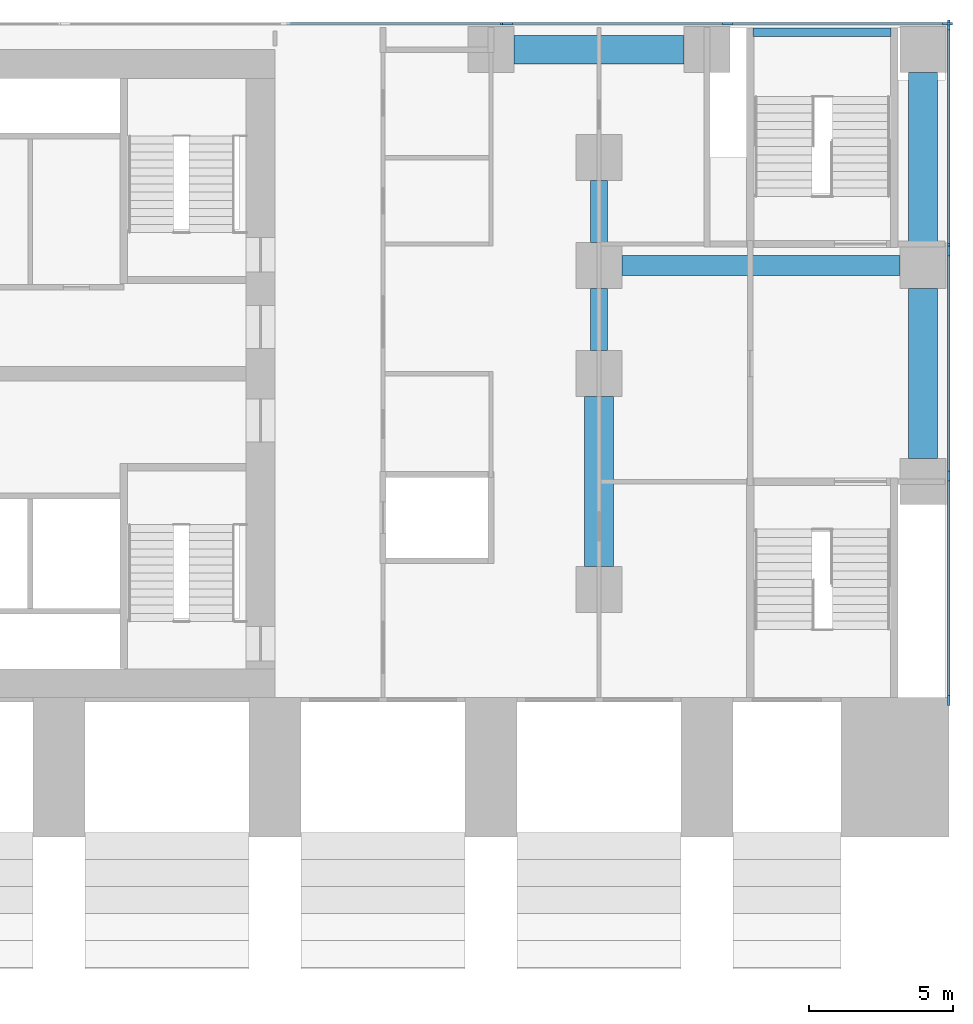
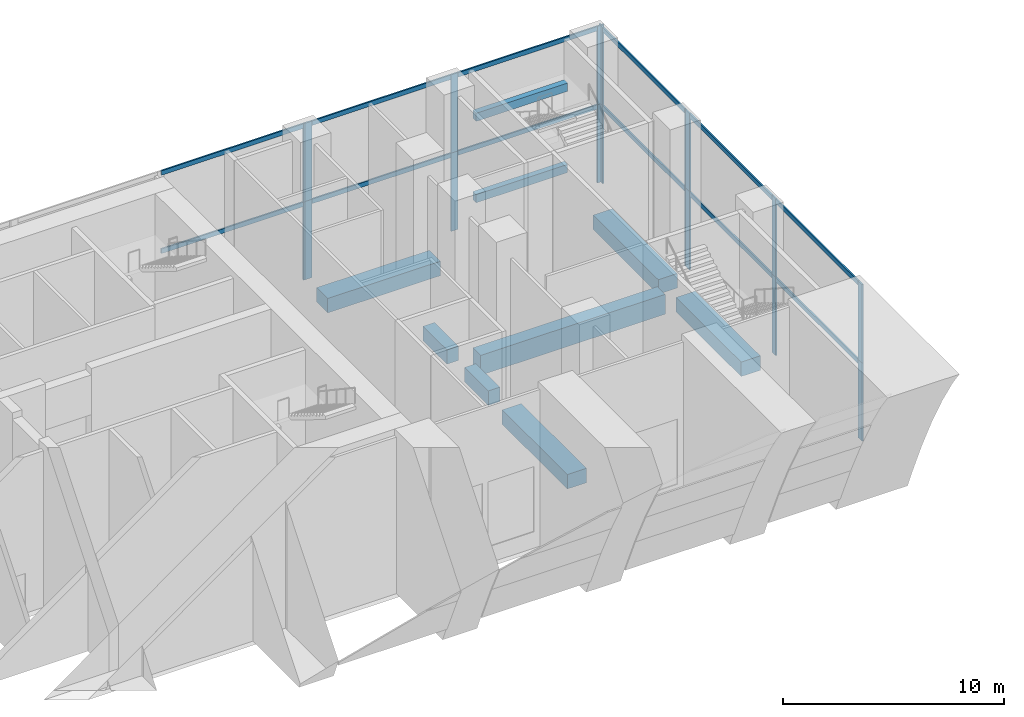
# One storey, part 3 of 14: 30 members, 9 beams, 8 elements without a shape of their own.
"""IFC4 building model written with IfcOpenShell, lengths in metres."""

from ifc_helpers import new_model, si_unit, direction, frame, origin, origin_2d, place, context, subcontext, project, spatial, rectangle, extrude, material, material_profile, profile_set, type_object, element, aggregate, save


model = new_model("IFC4")

# Units and contexts
model_context = context("Model", 3, precision=1e-05, world=origin(), true_north=direction((0.0, 1.0)))
body_context = subcontext(model_context, "Body", "Model", "MODEL_VIEW")
ifc_project = project(units=[si_unit("LENGTHUNIT", "METRE"), si_unit("AREAUNIT", "SQUARE_METRE"), si_unit("VOLUMEUNIT", "CUBIC_METRE"), si_unit("PLANEANGLEUNIT", "RADIAN"), si_unit("MASSUNIT", "GRAM", prefix="KILO")], contexts=[model_context])

# Site, building, storey
site_placement = place(None, origin())
site = spatial("IfcSite", under=ifc_project, at=site_placement, CompositionType="ELEMENT")
building_placement = place(site_placement, origin())
building = spatial("IfcBuilding", under=site, at=building_placement, Name="Pilkhan Gate Tower", CompositionType="ELEMENT")
storey_placement = place(building_placement, frame((0.0, 0.0, 7.5)))
storey = spatial("IfcBuildingStorey", under=building, at=storey_placement, Name="L01", CompositionType="ELEMENT", Elevation=7.5)

# Beams
ifc_material_1 = material(Name="Concrete C50/60", Category="concrete")
ifc_material_profile_1 = material_profile(ifc_material_1, rectangle(XDim=0.300048828125, YDim=0.449951171875, at=origin_2d()), Name="RC 300x450")
ifc_profile_set_1 = profile_set([ifc_material_profile_1], Name="Concrete C50/60")
beam_type_1 = type_object("IfcBeamType", Name="Landing support beam LB RC 300x450 C50/60", PredefinedType="BEAM", material=ifc_profile_set_1)
for number, where, z_axis, x_axis, name in (
    (1, (106.60498046875, 94.35009765625, 1.675048828125), (1.0, 0.0, 0.0), (0.0, 1.0, 0.0), "Landing support beam PS2-1 L01"),
    (2, (106.60498046875, 94.35009765625, 6.175048828125), (1.0, 0.0, 0.0), (0.0, 1.0, 0.0), "Landing support beam PS2-3 L01"),
):
    element("IfcBeam", number, at=place(storey_placement, frame(where, z_axis=z_axis, x_axis=x_axis)), inside=storey, type_object=beam_type_1, Name=name, PredefinedType="BEAM", context=body_context, shape_type="SweptSolid", body=[
        extrude(rectangle(XDim=0.300048828125, YDim=0.449951171875, at=origin_2d()), origin(), (0.0, 0.0, 1.0), 4.7900390625),
    ])

# Curtain wall, members
ifc_material_2 = material(Name="Pale anodised aluminium, clear low-iron laminated glazing", Category="aluminium")
curtain_wall_type = type_object("IfcCurtainWallType", Name="Podium unitised curtain wall CW-P", PredefinedType="USERDEFINED", material=ifc_material_2)
curtain_wall_1_placement = place(storey_placement, origin())
curtain_wall_1 = element("IfcCurtainWall", 3, at=curtain_wall_1_placement, inside=storey, type_object=curtain_wall_type, Name="Podium unitised curtain wall CW-P L01 E", ObjectType="UNITISED CURTAIN WALL", PredefinedType="USERDEFINED")
ifc_material_3 = material(Name="Pale anodised aluminium", Category="aluminium")
ifc_material_profile_2 = material_profile(ifc_material_3, rectangle(XDim=0.080078125, YDim=0.35009765625, at=origin_2d()), Name="Mullion 350x80")
ifc_profile_set_2 = profile_set([ifc_material_profile_2], Name="Pale anodised aluminium")
member_type_1 = type_object("IfcMemberType", Name="Mullion CW-P 350x80", PredefinedType="MULLION", material=ifc_profile_set_2)
member_1_placement = place(storey_placement, frame((113.39501953125, 71.14501953125, 0.0), z_axis=(0.0, 0.0, 1.0), x_axis=(-1.0, 0.0, 0.0)))
member_1 = element("IfcMember", 4, at=member_1_placement, type_object=member_type_1, Name="CW-P mullion 1", PredefinedType="MULLION", context=body_context, shape_type="SweptSolid", body=[
    extrude(rectangle(XDim=0.080078125, YDim=0.35009765625, at=origin_2d()), origin(), (0.0, 0.0, 1.0), 4.324951171875),
])
member_2_placement = place(storey_placement, frame((113.39501953125, 78.95166015625, 0.0), z_axis=(0.0, 0.0, 1.0), x_axis=(-1.0, 0.0, 0.0)))
member_2 = element("IfcMember", 5, at=member_2_placement, type_object=member_type_1, Name="CW-P mullion 2", PredefinedType="MULLION", context=body_context, shape_type="SweptSolid", body=[
    extrude(rectangle(XDim=0.080078125, YDim=0.35009765625, at=origin_2d()), origin(), (0.0, 0.0, 1.0), 4.324951171875),
])
member_3_placement = place(storey_placement, frame((113.39501953125, 86.75830078125, 0.0), z_axis=(0.0, 0.0, 1.0), x_axis=(-1.0, 0.0, 0.0)))
member_3 = element("IfcMember", 6, at=member_3_placement, type_object=member_type_1, Name="CW-P mullion 3", PredefinedType="MULLION", context=body_context, shape_type="SweptSolid", body=[
    extrude(rectangle(XDim=0.080078125, YDim=0.35009765625, at=origin_2d()), origin(), (0.0, 0.0, 1.0), 4.324951171875),
])

curtain_wall_2_placement = place(storey_placement, origin())
curtain_wall_2 = element("IfcCurtainWall", 7, at=curtain_wall_2_placement, inside=storey, type_object=curtain_wall_type, Name="Podium unitised curtain wall CW-P L01 E", ObjectType="UNITISED CURTAIN WALL", PredefinedType="USERDEFINED")
member_4_placement = place(storey_placement, frame((113.39501953125, 86.83837890625, 0.0), z_axis=(0.0, 0.0, 1.0), x_axis=(-1.0, 0.0, 0.0)))
member_4 = element("IfcMember", 8, at=member_4_placement, type_object=member_type_1, Name="CW-P mullion 1", PredefinedType="MULLION", context=body_context, shape_type="SweptSolid", body=[
    extrude(rectangle(XDim=0.080078125, YDim=0.35009765625, at=origin_2d()), origin(), (0.0, 0.0, 1.0), 4.324951171875),
])
member_5_placement = place(storey_placement, frame((113.39501953125, 94.60498046875, 0.0), z_axis=(0.0, 0.0, 1.0), x_axis=(-1.0, 0.0, 0.0)))
member_5 = element("IfcMember", 9, at=member_5_placement, type_object=member_type_1, Name="CW-P mullion 2", PredefinedType="MULLION", context=body_context, shape_type="SweptSolid", body=[
    extrude(rectangle(XDim=0.080078125, YDim=0.35009765625, at=origin_2d()), origin(), (0.0, 0.0, 1.0), 4.324951171875),
])

curtain_wall_3_placement = place(storey_placement, origin())
curtain_wall_3 = element("IfcCurtainWall", 10, at=curtain_wall_3_placement, inside=storey, type_object=curtain_wall_type, Name="Podium unitised curtain wall CW-P L01 E", ObjectType="UNITISED CURTAIN WALL", PredefinedType="USERDEFINED")
member_6_placement = place(storey_placement, frame((113.39501953125, 71.14501953125, 4.324951171875), z_axis=(0.0, 0.0, 1.0), x_axis=(-1.0, 0.0, 0.0)))
member_6 = element("IfcMember", 11, at=member_6_placement, type_object=member_type_1, Name="CW-P mullion 1", PredefinedType="MULLION", context=body_context, shape_type="SweptSolid", body=[
    extrude(rectangle(XDim=0.080078125, YDim=0.35009765625, at=origin_2d()), origin(), (0.0, 0.0, 1.0), 4.324951171875),
])
member_7_placement = place(storey_placement, frame((113.39501953125, 78.95166015625, 4.324951171875), z_axis=(0.0, 0.0, 1.0), x_axis=(-1.0, 0.0, 0.0)))
member_7 = element("IfcMember", 12, at=member_7_placement, type_object=member_type_1, Name="CW-P mullion 2", PredefinedType="MULLION", context=body_context, shape_type="SweptSolid", body=[
    extrude(rectangle(XDim=0.080078125, YDim=0.35009765625, at=origin_2d()), origin(), (0.0, 0.0, 1.0), 4.324951171875),
])
member_8_placement = place(storey_placement, frame((113.39501953125, 86.75830078125, 4.324951171875), z_axis=(0.0, 0.0, 1.0), x_axis=(-1.0, 0.0, 0.0)))
member_8 = element("IfcMember", 13, at=member_8_placement, type_object=member_type_1, Name="CW-P mullion 3", PredefinedType="MULLION", context=body_context, shape_type="SweptSolid", body=[
    extrude(rectangle(XDim=0.080078125, YDim=0.35009765625, at=origin_2d()), origin(), (0.0, 0.0, 1.0), 4.324951171875),
])

curtain_wall_4_placement = place(storey_placement, origin())
curtain_wall_4 = element("IfcCurtainWall", 14, at=curtain_wall_4_placement, inside=storey, type_object=curtain_wall_type, Name="Podium unitised curtain wall CW-P L01 E", ObjectType="UNITISED CURTAIN WALL", PredefinedType="USERDEFINED")
member_9_placement = place(storey_placement, frame((113.39501953125, 86.83837890625, 4.324951171875), z_axis=(0.0, 0.0, 1.0), x_axis=(-1.0, 0.0, 0.0)))
member_9 = element("IfcMember", 15, at=member_9_placement, type_object=member_type_1, Name="CW-P mullion 1", PredefinedType="MULLION", context=body_context, shape_type="SweptSolid", body=[
    extrude(rectangle(XDim=0.080078125, YDim=0.35009765625, at=origin_2d()), origin(), (0.0, 0.0, 1.0), 4.324951171875),
])
member_10_placement = place(storey_placement, frame((113.39501953125, 94.60498046875, 4.324951171875), z_axis=(0.0, 0.0, 1.0), x_axis=(-1.0, 0.0, 0.0)))
member_10 = element("IfcMember", 16, at=member_10_placement, type_object=member_type_1, Name="CW-P mullion 2", PredefinedType="MULLION", context=body_context, shape_type="SweptSolid", body=[
    extrude(rectangle(XDim=0.080078125, YDim=0.35009765625, at=origin_2d()), origin(), (0.0, 0.0, 1.0), 4.324951171875),
])

# Curtain wall, member
curtain_wall_5_placement = place(storey_placement, origin())
curtain_wall_5 = element("IfcCurtainWall", 17, at=curtain_wall_5_placement, inside=storey, type_object=curtain_wall_type, Name="Podium unitised curtain wall CW-P L01 N", ObjectType="UNITISED CURTAIN WALL", PredefinedType="USERDEFINED")
member_11_placement = place(storey_placement, frame((97.9970703125, 94.64501953125, 0.0), z_axis=(0.0, 0.0, 1.0), x_axis=(0.0, 1.0, 0.0)))
member_11 = element("IfcMember", 18, at=member_11_placement, type_object=member_type_1, Name="CW-P mullion 3", PredefinedType="MULLION", context=body_context, shape_type="SweptSolid", body=[
    extrude(rectangle(XDim=0.080078125, YDim=0.35009765625, at=origin_2d()), origin(), (0.0, 0.0, 1.0), 4.324951171875),
])

# Curtain wall, members
curtain_wall_6_placement = place(storey_placement, origin())
curtain_wall_6 = element("IfcCurtainWall", 19, at=curtain_wall_6_placement, inside=storey, type_object=curtain_wall_type, Name="Podium unitised curtain wall CW-P L01 N", ObjectType="UNITISED CURTAIN WALL", PredefinedType="USERDEFINED")
member_12_placement = place(storey_placement, frame((98.076904296875, 94.64501953125, 0.0), z_axis=(0.0, 0.0, 1.0), x_axis=(0.0, 1.0, 0.0)))
member_12 = element("IfcMember", 20, at=member_12_placement, type_object=member_type_1, Name="CW-P mullion 1", PredefinedType="MULLION", context=body_context, shape_type="SweptSolid", body=[
    extrude(rectangle(XDim=0.080078125, YDim=0.35009765625, at=origin_2d()), origin(), (0.0, 0.0, 1.0), 4.324951171875),
])
member_13_placement = place(storey_placement, frame((105.716064453125, 94.64501953125, 0.0), z_axis=(0.0, 0.0, 1.0), x_axis=(0.0, 1.0, 0.0)))
member_13 = element("IfcMember", 21, at=member_13_placement, type_object=member_type_1, Name="CW-P mullion 2", PredefinedType="MULLION", context=body_context, shape_type="SweptSolid", body=[
    extrude(rectangle(XDim=0.080078125, YDim=0.35009765625, at=origin_2d()), origin(), (0.0, 0.0, 1.0), 4.324951171875),
])
member_14_placement = place(storey_placement, frame((113.35498046875, 94.64501953125, 0.0), z_axis=(0.0, 0.0, 1.0), x_axis=(0.0, 1.0, 0.0)))
member_14 = element("IfcMember", 22, at=member_14_placement, type_object=member_type_1, Name="CW-P mullion 3", PredefinedType="MULLION", context=body_context, shape_type="SweptSolid", body=[
    extrude(rectangle(XDim=0.080078125, YDim=0.35009765625, at=origin_2d()), origin(), (0.0, 0.0, 1.0), 4.324951171875),
])

# Curtain wall, member
curtain_wall_7_placement = place(storey_placement, origin())
curtain_wall_7 = element("IfcCurtainWall", 23, at=curtain_wall_7_placement, inside=storey, type_object=curtain_wall_type, Name="Podium unitised curtain wall CW-P L01 N", ObjectType="UNITISED CURTAIN WALL", PredefinedType="USERDEFINED")
member_15_placement = place(storey_placement, frame((97.9970703125, 94.64501953125, 4.324951171875), z_axis=(0.0, 0.0, 1.0), x_axis=(0.0, 1.0, 0.0)))
member_15 = element("IfcMember", 24, at=member_15_placement, type_object=member_type_1, Name="CW-P mullion 3", PredefinedType="MULLION", context=body_context, shape_type="SweptSolid", body=[
    extrude(rectangle(XDim=0.080078125, YDim=0.35009765625, at=origin_2d()), origin(), (0.0, 0.0, 1.0), 4.324951171875),
])

# Curtain wall, members
curtain_wall_8_placement = place(storey_placement, origin())
curtain_wall_8 = element("IfcCurtainWall", 25, at=curtain_wall_8_placement, inside=storey, type_object=curtain_wall_type, Name="Podium unitised curtain wall CW-P L01 N", ObjectType="UNITISED CURTAIN WALL", PredefinedType="USERDEFINED")
member_16_placement = place(storey_placement, frame((98.076904296875, 94.64501953125, 4.324951171875), z_axis=(0.0, 0.0, 1.0), x_axis=(0.0, 1.0, 0.0)))
member_16 = element("IfcMember", 26, at=member_16_placement, type_object=member_type_1, Name="CW-P mullion 1", PredefinedType="MULLION", context=body_context, shape_type="SweptSolid", body=[
    extrude(rectangle(XDim=0.080078125, YDim=0.35009765625, at=origin_2d()), origin(), (0.0, 0.0, 1.0), 4.324951171875),
])
member_17_placement = place(storey_placement, frame((105.716064453125, 94.64501953125, 4.324951171875), z_axis=(0.0, 0.0, 1.0), x_axis=(0.0, 1.0, 0.0)))
member_17 = element("IfcMember", 27, at=member_17_placement, type_object=member_type_1, Name="CW-P mullion 2", PredefinedType="MULLION", context=body_context, shape_type="SweptSolid", body=[
    extrude(rectangle(XDim=0.080078125, YDim=0.35009765625, at=origin_2d()), origin(), (0.0, 0.0, 1.0), 4.324951171875),
])
member_18_placement = place(storey_placement, frame((113.35498046875, 94.64501953125, 4.324951171875), z_axis=(0.0, 0.0, 1.0), x_axis=(0.0, 1.0, 0.0)))
member_18 = element("IfcMember", 28, at=member_18_placement, type_object=member_type_1, Name="CW-P mullion 3", PredefinedType="MULLION", context=body_context, shape_type="SweptSolid", body=[
    extrude(rectangle(XDim=0.080078125, YDim=0.35009765625, at=origin_2d()), origin(), (0.0, 0.0, 1.0), 4.324951171875),
])

# Beams
ifc_material_profile_3 = material_profile(ifc_material_1, rectangle(XDim=0.699951171875, YDim=1.10009765625, at=origin_2d()), Name="RC 700x1100")
ifc_profile_set_3 = profile_set([ifc_material_profile_3], Name="Concrete C50/60")
beam_type_2 = type_object("IfcBeamType", Name="Podium girder PG110 RC 700x1100 C50/60", PredefinedType="BEAM", material=ifc_profile_set_3)
beam_placement = place(storey_placement, frame((102.050048828125, 86.25, -0.89990234375), z_axis=(1.0, 0.0, 0.0), x_axis=(0.0, 1.0, 0.0)))
element("IfcBeam", 29, at=beam_placement, inside=storey, type_object=beam_type_2, Name="Podium beam 12 L01", PredefinedType="BEAM", context=body_context, shape_type="SweptSolid", body=[
    extrude(rectangle(XDim=0.699951171875, YDim=1.10009765625, at=origin_2d()), origin(), (0.0, 0.0, 1.0), 9.64990234375),
])
ifc_material_profile_4 = material_profile(ifc_material_1, rectangle(XDim=1.0, YDim=0.800048828125, at=origin_2d()), Name="RC 1000x800")
ifc_profile_set_4 = profile_set([ifc_material_profile_4], Name="Concrete C50/60")
beam_type_3 = type_object("IfcBeamType", Name="Podium joist PJ80 RC 1000x800 C50/60", PredefinedType="JOIST", material=ifc_profile_set_4)
for number, where, z_axis, x_axis, name in (
    (30, (98.300048828125, 93.75, -0.75), (1.0, 0.0, 0.0), (0.0, 1.0, 0.0), "Podium beam 8 L01"),
    (31, (101.25, 75.800048828125, -0.75), (0.0, 1.0, 0.0), (-1.0, 0.0, 0.0), "Podium beam 9 L01"),
    (32, (112.5, 79.550048828125, -0.75), (0.0, 1.0, 0.0), (-1.0, 0.0, 0.0), "Podium beam 13 L01"),
    (33, (112.5, 87.050048828125, -0.75), (0.0, 1.0, 0.0), (-1.0, 0.0, 0.0), "Podium beam 14 L01"),
):
    element("IfcBeam", number, at=place(storey_placement, frame(where, z_axis=z_axis, x_axis=x_axis)), inside=storey, type_object=beam_type_3, Name=name, PredefinedType="JOIST", context=body_context, shape_type="SweptSolid", body=[
        extrude(rectangle(XDim=1.0, YDim=0.800048828125, at=origin_2d()), origin(), (0.0, 0.0, 1.0), 5.89990234375),
    ])
ifc_material_profile_5 = material_profile(ifc_material_1, rectangle(XDim=0.60009765625, YDim=0.800048828125, at=origin_2d()), Name="RC 600x800")
ifc_profile_set_5 = profile_set([ifc_material_profile_5], Name="Concrete C50/60")
beam_type_4 = type_object("IfcBeamType", Name="Podium joist PJ81 RC 600x800 C50/60", PredefinedType="JOIST", material=ifc_profile_set_5)
for number, where, z_axis, x_axis, name in (
    (34, (101.25, 83.300048828125, -0.75), (0.0, 1.0, 0.0), (-1.0, 0.0, 0.0), "Podium beam 10 L01"),
    (35, (101.25, 87.050048828125, -0.75), (0.0, 1.0, 0.0), (-1.0, 0.0, 0.0), "Podium beam 11 L01"),
):
    element("IfcBeam", number, at=place(storey_placement, frame(where, z_axis=z_axis, x_axis=x_axis)), inside=storey, type_object=beam_type_4, Name=name, PredefinedType="JOIST", context=body_context, shape_type="SweptSolid", body=[
        extrude(rectangle(XDim=0.60009765625, YDim=0.800048828125, at=origin_2d()), origin(), (0.0, 0.0, 1.0), 2.14990234375),
    ])

# Member
ifc_material_profile_6 = material_profile(ifc_material_3, rectangle(XDim=0.080078125, YDim=0.25, at=origin_2d()), Name="Transom 250x80")
ifc_profile_set_6 = profile_set([ifc_material_profile_6], Name="Pale anodised aluminium")
member_type_2 = type_object("IfcMemberType", Name="Transom CW-P 250x80", PredefinedType="USERDEFINED", material=ifc_profile_set_6)
member_19_placement = place(storey_placement, frame((113.39501953125, 71.18505859375, 4.199951171875), z_axis=(0.0, 1.0, 0.0), x_axis=(-1.0, 0.0, 0.0)))
member_19 = element("IfcMember", 36, at=member_19_placement, type_object=member_type_2, Name="CW-P transom 1", ObjectType="TRANSOM", PredefinedType="USERDEFINED", context=body_context, shape_type="SweptSolid", body=[
    extrude(rectangle(XDim=0.080078125, YDim=0.25, at=origin_2d()), origin(), (0.0, 0.0, 1.0), 7.7265625),
])

member_20_placement = place(storey_placement, frame((113.39501953125, 78.99169921875, 4.199951171875), z_axis=(0.0, 1.0, 0.0), x_axis=(-1.0, 0.0, 0.0)))
member_20 = element("IfcMember", 37, at=member_20_placement, type_object=member_type_2, Name="CW-P transom 2", ObjectType="TRANSOM", PredefinedType="USERDEFINED", context=body_context, shape_type="SweptSolid", body=[
    extrude(rectangle(XDim=0.080078125, YDim=0.25, at=origin_2d()), origin(), (0.0, 0.0, 1.0), 7.7265625),
])

aggregate(curtain_wall_1, [member_1, member_2, member_3, member_19, member_20])

member_21_placement = place(storey_placement, frame((113.39501953125, 86.87841796875, 4.199951171875), z_axis=(0.0, 1.0, 0.0), x_axis=(-1.0, 0.0, 0.0)))
member_21 = element("IfcMember", 38, at=member_21_placement, type_object=member_type_2, Name="CW-P transom 1", ObjectType="TRANSOM", PredefinedType="USERDEFINED", context=body_context, shape_type="SweptSolid", body=[
    extrude(rectangle(XDim=0.080078125, YDim=0.25, at=origin_2d()), origin(), (0.0, 0.0, 1.0), 7.6865234375),
])

aggregate(curtain_wall_2, [member_4, member_5, member_21])

member_22_placement = place(storey_placement, frame((113.39501953125, 71.18505859375, 8.52490234375), z_axis=(0.0, 1.0, 0.0), x_axis=(-1.0, 0.0, 0.0)))
member_22 = element("IfcMember", 39, at=member_22_placement, type_object=member_type_2, Name="CW-P transom 1", ObjectType="TRANSOM", PredefinedType="USERDEFINED", context=body_context, shape_type="SweptSolid", body=[
    extrude(rectangle(XDim=0.080078125, YDim=0.25, at=origin_2d()), origin(), (0.0, 0.0, 1.0), 7.7265625),
])

member_23_placement = place(storey_placement, frame((113.39501953125, 78.99169921875, 8.52490234375), z_axis=(0.0, 1.0, 0.0), x_axis=(-1.0, 0.0, 0.0)))
member_23 = element("IfcMember", 40, at=member_23_placement, type_object=member_type_2, Name="CW-P transom 2", ObjectType="TRANSOM", PredefinedType="USERDEFINED", context=body_context, shape_type="SweptSolid", body=[
    extrude(rectangle(XDim=0.080078125, YDim=0.25, at=origin_2d()), origin(), (0.0, 0.0, 1.0), 7.7265625),
])

aggregate(curtain_wall_3, [member_6, member_7, member_8, member_22, member_23])

member_24_placement = place(storey_placement, frame((113.39501953125, 86.87841796875, 8.52490234375), z_axis=(0.0, 1.0, 0.0), x_axis=(-1.0, 0.0, 0.0)))
member_24 = element("IfcMember", 41, at=member_24_placement, type_object=member_type_2, Name="CW-P transom 1", ObjectType="TRANSOM", PredefinedType="USERDEFINED", context=body_context, shape_type="SweptSolid", body=[
    extrude(rectangle(XDim=0.080078125, YDim=0.25, at=origin_2d()), origin(), (0.0, 0.0, 1.0), 7.6865234375),
])

aggregate(curtain_wall_4, [member_9, member_10, member_24])

member_25_placement = place(storey_placement, frame((90.39794921875, 94.64501953125, 4.199951171875), z_axis=(1.0, 0.0, 0.0), x_axis=(0.0, 1.0, 0.0)))
member_25 = element("IfcMember", 42, at=member_25_placement, type_object=member_type_2, Name="CW-P transom 2", ObjectType="TRANSOM", PredefinedType="USERDEFINED", context=body_context, shape_type="SweptSolid", body=[
    extrude(rectangle(XDim=0.080078125, YDim=0.25, at=origin_2d()), origin(), (0.0, 0.0, 1.0), 7.55908203125),
])

aggregate(curtain_wall_5, [member_11, member_25])

member_26_placement = place(storey_placement, frame((98.116943359375, 94.64501953125, 4.199951171875), z_axis=(1.0, 0.0, 0.0), x_axis=(0.0, 1.0, 0.0)))
member_26 = element("IfcMember", 43, at=member_26_placement, type_object=member_type_2, Name="CW-P transom 1", ObjectType="TRANSOM", PredefinedType="USERDEFINED", context=body_context, shape_type="SweptSolid", body=[
    extrude(rectangle(XDim=0.080078125, YDim=0.25, at=origin_2d()), origin(), (0.0, 0.0, 1.0), 7.55908203125),
])

member_27_placement = place(storey_placement, frame((105.756103515625, 94.64501953125, 4.199951171875), z_axis=(1.0, 0.0, 0.0), x_axis=(0.0, 1.0, 0.0)))
member_27 = element("IfcMember", 44, at=member_27_placement, type_object=member_type_2, Name="CW-P transom 2", ObjectType="TRANSOM", PredefinedType="USERDEFINED", context=body_context, shape_type="SweptSolid", body=[
    extrude(rectangle(XDim=0.080078125, YDim=0.25, at=origin_2d()), origin(), (0.0, 0.0, 1.0), 7.558837890625),
])

aggregate(curtain_wall_6, [member_12, member_13, member_14, member_26, member_27])

member_28_placement = place(storey_placement, frame((90.39794921875, 94.64501953125, 8.52490234375), z_axis=(1.0, 0.0, 0.0), x_axis=(0.0, 1.0, 0.0)))
member_28 = element("IfcMember", 45, at=member_28_placement, type_object=member_type_2, Name="CW-P transom 2", ObjectType="TRANSOM", PredefinedType="USERDEFINED", context=body_context, shape_type="SweptSolid", body=[
    extrude(rectangle(XDim=0.080078125, YDim=0.25, at=origin_2d()), origin(), (0.0, 0.0, 1.0), 7.55908203125),
])

aggregate(curtain_wall_7, [member_15, member_28])

member_29_placement = place(storey_placement, frame((98.116943359375, 94.64501953125, 8.52490234375), z_axis=(1.0, 0.0, 0.0), x_axis=(0.0, 1.0, 0.0)))
member_29 = element("IfcMember", 46, at=member_29_placement, type_object=member_type_2, Name="CW-P transom 1", ObjectType="TRANSOM", PredefinedType="USERDEFINED", context=body_context, shape_type="SweptSolid", body=[
    extrude(rectangle(XDim=0.080078125, YDim=0.25, at=origin_2d()), origin(), (0.0, 0.0, 1.0), 7.55908203125),
])

member_30_placement = place(storey_placement, frame((105.756103515625, 94.64501953125, 8.52490234375), z_axis=(1.0, 0.0, 0.0), x_axis=(0.0, 1.0, 0.0)))
member_30 = element("IfcMember", 47, at=member_30_placement, type_object=member_type_2, Name="CW-P transom 2", ObjectType="TRANSOM", PredefinedType="USERDEFINED", context=body_context, shape_type="SweptSolid", body=[
    extrude(rectangle(XDim=0.080078125, YDim=0.25, at=origin_2d()), origin(), (0.0, 0.0, 1.0), 7.558837890625),
])

aggregate(curtain_wall_8, [member_16, member_17, member_18, member_29, member_30])

save(model, "model.ifc")
